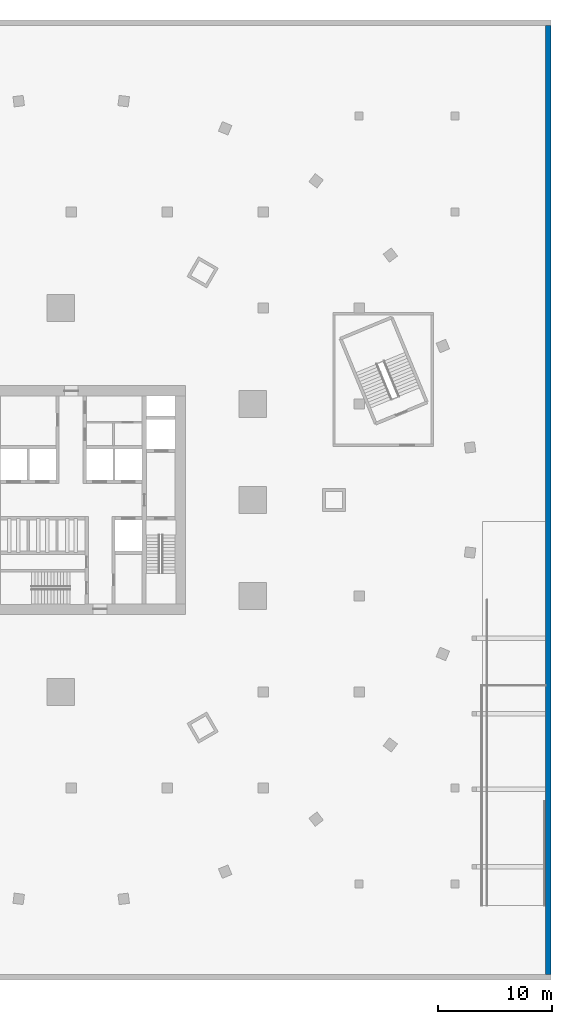
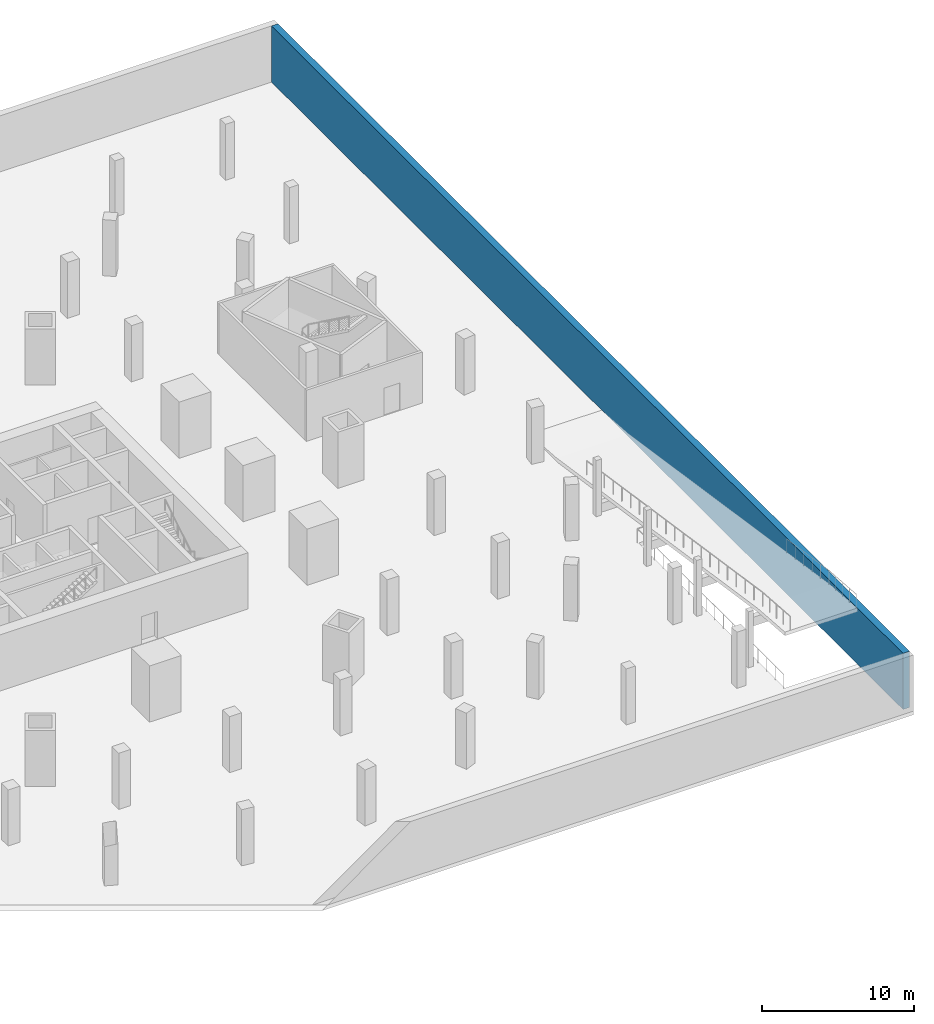
# One storey, part 5 of 9: 1 wall.
"""IFC4 building model written with IfcOpenShell, lengths in metres."""

from ifc_helpers import new_model, si_unit, direction, frame, frame_2d, origin, place, context, subcontext, project, spatial, rectangle, extrude, material, layer, layer_set, type_object, element, save


model = new_model("IFC4")

# Units and contexts
model_context = context("Model", 3, precision=1e-05, world=origin(), true_north=direction((0.0, 1.0)))
body_context = subcontext(model_context, "Body", "Model", "MODEL_VIEW")
ifc_project = project(units=[si_unit("LENGTHUNIT", "METRE"), si_unit("AREAUNIT", "SQUARE_METRE"), si_unit("VOLUMEUNIT", "CUBIC_METRE"), si_unit("PLANEANGLEUNIT", "RADIAN"), si_unit("MASSUNIT", "GRAM", prefix="KILO")], contexts=[model_context])

# Site, building, storey
site_placement = place(None, origin())
site = spatial("IfcSite", under=ifc_project, at=site_placement, CompositionType="ELEMENT")
building_placement = place(site_placement, origin())
building = spatial("IfcBuilding", under=site, at=building_placement, Name="Golbaran Civic Tower", CompositionType="ELEMENT")
storey_placement = place(building_placement, frame((0.0, 0.0, -4.5)))
storey = spatial("IfcBuildingStorey", under=building, at=storey_placement, Name="B1", CompositionType="ELEMENT", Elevation=-4.5)

# Wall
ifc_material = material(Name="Concrete C50/60", Category="concrete")
ifc_layer = layer(ifc_material, 0.5, Name="Concrete C50/60")
ifc_layer_set = layer_set([ifc_layer], Name="Concrete C50/60")
wall_type = type_object("IfcWallType", Name="BASEMENT RETAINING WALL CONCRETE 500", PredefinedType="SOLIDWALL", material=ifc_layer_set)
wall_placement = place(storey_placement, frame((41.75, -41.5, 0.0), z_axis=(0.0, 0.0, 1.0), x_axis=(0.0, 1.0, 0.0)))
element("IfcWall", 1, at=wall_placement, inside=storey, type_object=wall_type, Name="Basement retaining wall E B1", PredefinedType="SOLIDWALL", context=body_context, shape_type="SweptSolid", body=[
    extrude(rectangle(XDim=83.0, YDim=0.5, at=frame_2d((41.5, 0.0))), origin(), (0.0, 0.0, 1.0), 4.5),
])

save(model, "model.ifc")
